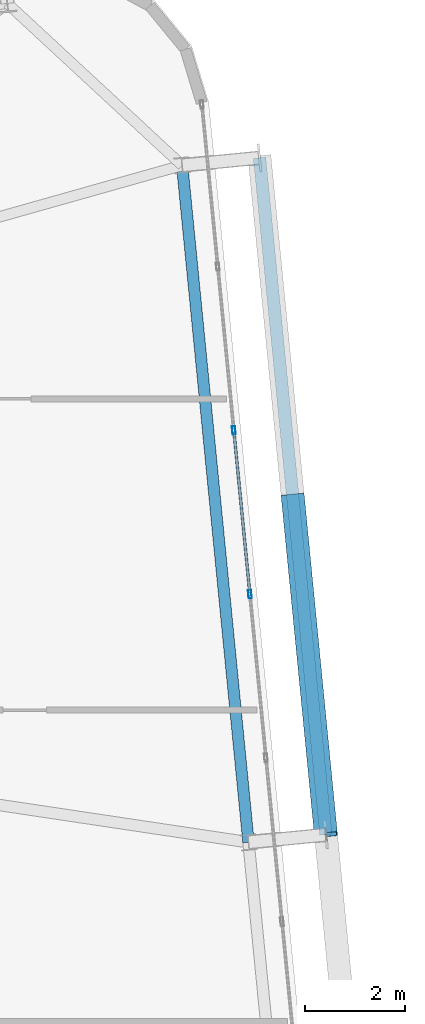
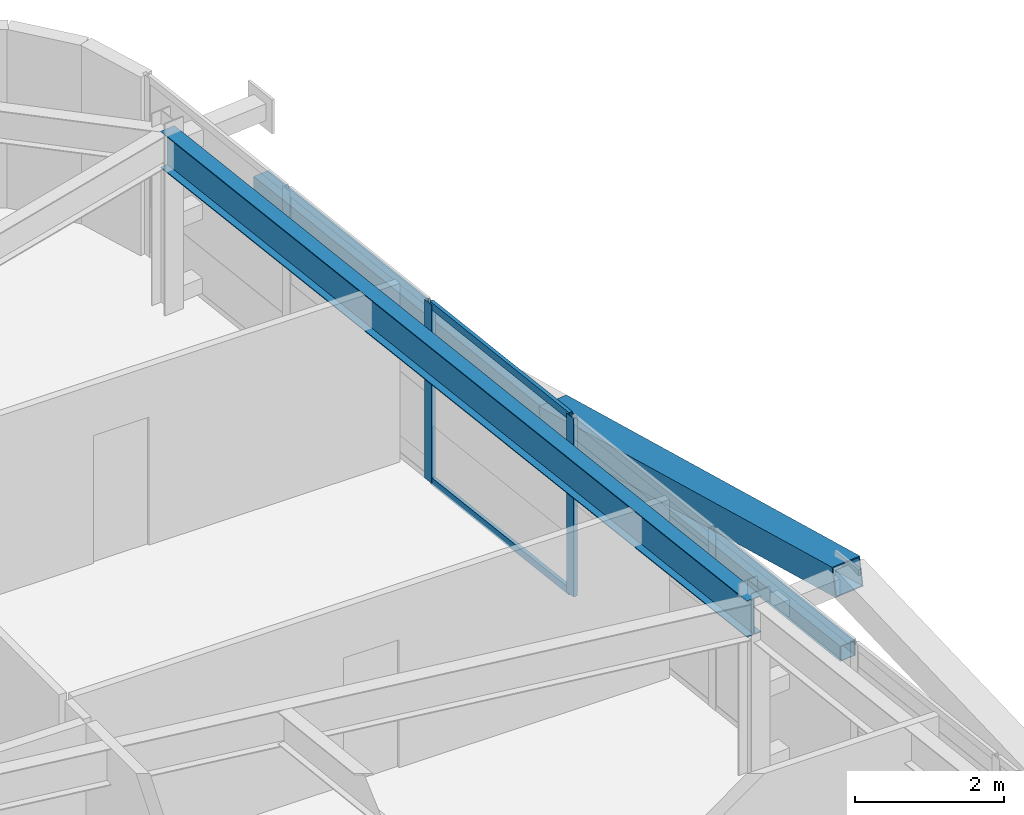
# One storey, part 26 of 52: 6 members, 1 beam, 1 element without a shape of its own.
"""IFC4 building model written with IfcOpenShell, lengths in metres."""

import ifcopenshell
import ifcopenshell.guid

model = None  # the IFC model being written
_history = None  # IfcOwnerHistory: only IFC2X3 demands one
_inside = {}  # id of a spatial element -> (the spatial element, [elements in it])
_under = {}  # id of a project, library or spatial element -> (it, [spatial elements below it])
_declared = {}  # id of a project -> (the project, [libraries it declares])
_typed = {}  # id of a type object -> (the type object, [elements of that type])
_made_of = {}  # id of a material, layer set ... -> (it, [elements and type objects made of it])


def new_model(schema):
    """Start an empty IFC model of exactly this schema.

    Asked for "IFC4X3", IfcOpenShell would pick the latest addendum, in which some entities
    have other attributes; the version numbers below select the first issue.
    IFC2X3 requires an IfcOwnerHistory on every rooted entity: one is made here for all.
    """
    global model, _history
    if schema == "IFC4X3":
        model = ifcopenshell.file(schema_version=(4, 3, 0, 0))
    else:
        model = ifcopenshell.file(schema=schema)
    _inside.clear()
    _under.clear()
    _declared.clear()
    _typed.clear()
    _made_of.clear()
    _history = None
    if model.schema == "IFC2X3":
        org = make("IfcOrganization", Name="unknown")
        user = make(
            "IfcPersonAndOrganization",
            ThePerson=make("IfcPerson", FamilyName="unknown"),
            TheOrganization=org,
        )
        app = make(
            "IfcApplication",
            ApplicationDeveloper=org,
            Version="unknown",
            ApplicationFullName="unknown",
            ApplicationIdentifier="unknown",
        )
        _history = make(
            "IfcOwnerHistory",
            OwningUser=user,
            OwningApplication=app,
            ChangeAction="ADDED",
            CreationDate=0,
        )
    return model


def make(cls, **values):
    """One entity of the class cls with the attributes given. An attribute that is None is left unset."""
    return model.create_entity(
        cls, **{name: value for name, value in values.items() if value is not None}
    )


def rooted(cls, **values):
    """An entity with a GlobalId (a new one), such as an element, a storey or a relation."""
    return make(cls, GlobalId=ifcopenshell.guid.new(), OwnerHistory=_history, **values)


def si_unit(unit_type, name, prefix=None):
    """IfcSIUnit, for example si_unit("LENGTHUNIT", "METRE", prefix="MILLI")."""
    return make("IfcSIUnit", UnitType=unit_type, Prefix=prefix, Name=name)


def assignment(units):
    """IfcUnitAssignment: the units of a project."""
    return None if units is None else make("IfcUnitAssignment", Units=units)


def point(xyz):
    """IfcCartesianPoint."""
    return None if xyz is None else make("IfcCartesianPoint", Coordinates=xyz)


def direction(xyz):
    """IfcDirection."""
    return None if xyz is None else make("IfcDirection", DirectionRatios=xyz)


def frame(location, z_axis=None, x_axis=None):
    """IfcAxis2Placement3D, a coordinate frame: its origin and axes. An axis left out is left unset."""
    return make(
        "IfcAxis2Placement3D",
        Location=point(location),
        Axis=direction(z_axis),
        RefDirection=direction(x_axis),
    )


def frame_2d(location, x_axis=None):
    """IfcAxis2Placement2D, a coordinate frame in the plane: its origin and x axis."""
    return make(
        "IfcAxis2Placement2D", Location=point(location), RefDirection=direction(x_axis)
    )


def origin():
    """The frame at (0, 0, 0) with its axes left unset."""
    return frame((0.0, 0.0, 0.0))


def origin_2d():
    """The frame at (0, 0) in the plane with its x axis left unset."""
    return frame_2d((0.0, 0.0))


def place(relative_to, where):
    """IfcLocalPlacement: puts the frame where relative to a parent placement (None: the world)."""
    return make(
        "IfcLocalPlacement", PlacementRelTo=relative_to, RelativePlacement=where
    )


def context(
    kind, dimensions, precision=None, world=None, true_north=None, identifier=None
):
    """IfcGeometricRepresentationContext, for example the 3D "Model" context."""
    return make(
        "IfcGeometricRepresentationContext",
        ContextIdentifier=identifier,
        ContextType=kind,
        CoordinateSpaceDimension=dimensions,
        Precision=precision,
        WorldCoordinateSystem=world,
        TrueNorth=true_north,
    )


def subcontext(parent, identifier, kind, view, scale=None):
    """IfcGeometricRepresentationSubContext, for example "Body" below "Model"."""
    return make(
        "IfcGeometricRepresentationSubContext",
        ContextIdentifier=identifier,
        ContextType=kind,
        ParentContext=parent,
        TargetScale=scale,
        TargetView=view,
    )


def project(units=None, contexts=None):
    """IfcProject with its units and contexts."""
    return rooted(
        "IfcProject",
        Name="project",
        RepresentationContexts=contexts,
        UnitsInContext=assignment(units),
    )


def spatial(cls, under=None, at=None, **own):
    """A site, building, storey or space (cls), placed at a placement, below another one or the project."""
    s = rooted(cls, ObjectPlacement=at, **own)
    if under is not None:
        _under.setdefault(under.id(), (under, []))[1].append(s)
    return s


def profile(cls, at=None, kind="AREA", **sizes):
    """A parametric profile (cls). Its sizes go by their IFC names, for example OverallWidth=200.0."""
    return make(cls, ProfileType=kind, Position=at, **sizes)


def hollow_rectangle(**sizes):
    """IfcRectangleHollowProfileDef."""
    return profile("IfcRectangleHollowProfileDef", **sizes)


def i_section(**sizes):
    """IfcIShapeProfileDef."""
    return profile("IfcIShapeProfileDef", **sizes)


def extrude(swept, where, along, depth):
    """IfcExtrudedAreaSolid: the profile swept, set in the frame where, extruded along a direction by depth."""
    return make(
        "IfcExtrudedAreaSolid",
        SweptArea=swept,
        Position=where,
        ExtrudedDirection=direction(along),
        Depth=depth,
    )


def shape(context_of_items, identifier, shape_type, items):
    """IfcShapeRepresentation: the items that make up one representation, for example the "Body"."""
    return make(
        "IfcShapeRepresentation",
        ContextOfItems=context_of_items,
        RepresentationIdentifier=identifier,
        RepresentationType=shape_type,
        Items=items,
    )


def source(mapping_origin, context_of_items, identifier, shape_type, items):
    """IfcRepresentationMap: a shape defined once, which mapped items show again and again."""
    return make(
        "IfcRepresentationMap",
        MappingOrigin=mapping_origin,
        MappedRepresentation=shape(context_of_items, identifier, shape_type, items),
    )


def transform(
    local_origin,
    x_axis=None,
    y_axis=None,
    z_axis=None,
    scale=None,
    scale2=None,
    scale3=None,
    uniform=True,
):
    """IfcCartesianTransformationOperator3D, or its non-uniform kind. x_axis, y_axis, z_axis: its Axis1, 2, 3."""
    if uniform:
        return make(
            "IfcCartesianTransformationOperator3D",
            Axis1=direction(x_axis),
            Axis2=direction(y_axis),
            LocalOrigin=point(local_origin),
            Scale=scale,
            Axis3=direction(z_axis),
        )
    return make(
        "IfcCartesianTransformationOperator3DnonUniform",
        Axis1=direction(x_axis),
        Axis2=direction(y_axis),
        LocalOrigin=point(local_origin),
        Scale=scale,
        Axis3=direction(z_axis),
        Scale2=scale2,
        Scale3=scale3,
    )


def mapped(mapping_source, mapping_target):
    """IfcMappedItem: shows the shape of a source again, moved by a transform."""
    return make(
        "IfcMappedItem", MappingSource=mapping_source, MappingTarget=mapping_target
    )


def material(Name=None, Category=None):
    """IfcMaterial."""
    return make("IfcMaterial", Name=Name, Category=Category)


def layer(
    of_material, thickness, ventilated=None, Name=None, Category=None, Priority=None
):
    """IfcMaterialLayer: one layer of a wall or slab, of a material (None: an air gap)."""
    return make(
        "IfcMaterialLayer",
        Material=of_material,
        LayerThickness=thickness,
        IsVentilated=ventilated,
        Name=Name,
        Category=Category,
        Priority=Priority,
    )


def layer_set(layers, Name=None):
    """IfcMaterialLayerSet."""
    return make("IfcMaterialLayerSet", MaterialLayers=layers, LayerSetName=Name)


def material_profile(
    of_material, cross_section, Name=None, Category=None, Priority=None
):
    """IfcMaterialProfile: a cross section and its material."""
    return make(
        "IfcMaterialProfile",
        Name=Name,
        Material=of_material,
        Profile=cross_section,
        Priority=Priority,
        Category=Category,
    )


def profile_set(profiles, Name=None, composite=None):
    """IfcMaterialProfileSet."""
    return make(
        "IfcMaterialProfileSet",
        Name=Name,
        MaterialProfiles=profiles,
        CompositeProfile=composite,
    )


def made_of(thing, what):
    """Note that an element or type object is made of a material, layer set ...; save() writes the relation."""
    if what is not None:
        _made_of.setdefault(what.id(), (what, []))[1].append(thing)
    return thing


def type_object(cls, material=None, **own):
    """A type object (cls), such as IfcWallType, which elements share."""
    return made_of(rooted(cls, **own), material)


def element(
    cls,
    number,
    at=None,
    inside=None,
    cuts=None,
    type_object=None,
    material=None,
    context=None,
    identifier="Body",
    shape_type=None,
    held_by="IfcProductDefinitionShape",
    body=None,
    shapes=None,
    **own,
):
    """One element of the class cls, such as IfcWall. Its Tag is "e" and its number.

    at: its placement. inside: the storey or other place that contains it. cuts: it is an
    opening in that element (IfcRelVoidsElement). A single representation is given by context,
    identifier, shape_type and body (its items); several are given by shapes. held_by: the class
    of the entity that holds the representations. save() writes the other relations.
    """
    e = rooted(cls, Tag="e%d" % number, ObjectPlacement=at, **own)
    if body is not None:
        shapes = [shape(context, identifier, shape_type, body)]
    if shapes is not None:
        e.Representation = make(held_by, Representations=shapes)
    if inside is not None:
        _inside.setdefault(inside.id(), (inside, []))[1].append(e)
    if cuts is not None:
        rooted(
            "IfcRelVoidsElement", RelatingBuildingElement=cuts, RelatedOpeningElement=e
        )
    if type_object is not None:
        _typed.setdefault(type_object.id(), (type_object, []))[1].append(e)
    return made_of(e, material)


def aggregate(whole, parts):
    """IfcRelAggregates: a whole, such as a stair, and the parts it consists of."""
    return rooted("IfcRelAggregates", RelatingObject=whole, RelatedObjects=parts)


def save(model, path):
    """Write the relations noted so far, then the file.

    IfcRelAggregates (storeys below a building ...), IfcRelContainedInSpatialStructure (elements
    in a storey), IfcRelDefinesByType, IfcRelAssociatesMaterial and IfcRelDeclares: one each for
    every whole, place, type object, material and project.
    """
    for whole, parts in _under.values():
        aggregate(whole, parts)
    for where, things in _inside.values():
        rooted(
            "IfcRelContainedInSpatialStructure",
            RelatedElements=things,
            RelatingStructure=where,
        )
    for kind, things in _typed.values():
        rooted("IfcRelDefinesByType", RelatedObjects=things, RelatingType=kind)
    for what, things in _made_of.values():
        rooted("IfcRelAssociatesMaterial", RelatedObjects=things, RelatingMaterial=what)
    for by, libraries in _declared.values():
        rooted("IfcRelDeclares", RelatingContext=by, RelatedDefinitions=libraries)
    model.write(path)


model = new_model("IFC4")

# Units and contexts
model_context = context("Model", 3, precision=1e-05, world=origin(), true_north=direction((0.0, 1.0)))
body_context = subcontext(model_context, "Body", "Model", "MODEL_VIEW")
ifc_project = project(units=[si_unit("LENGTHUNIT", "METRE"), si_unit("AREAUNIT", "SQUARE_METRE"), si_unit("VOLUMEUNIT", "CUBIC_METRE"), si_unit("PLANEANGLEUNIT", "RADIAN"), si_unit("MASSUNIT", "GRAM", prefix="KILO")], contexts=[model_context])

# Site, building, storey
site_placement = place(None, origin())
site = spatial("IfcSite", under=ifc_project, at=site_placement, CompositionType="ELEMENT")
building_placement = place(site_placement, origin())
building = spatial("IfcBuilding", under=site, at=building_placement, Name="Taldren Reach Tower", CompositionType="ELEMENT")
storey_placement = place(building_placement, frame((0.0, 0.0, 74.550048828125)))
storey = spatial("IfcBuildingStorey", under=building, at=storey_placement, Name="L22", CompositionType="ELEMENT", Elevation=74.550048828125)

# Beam
ifc_material_1 = material(Name="Steel Gr 350 (350PLUS)", Category="steel")
ifc_material_profile_1 = material_profile(ifc_material_1, i_section(OverallWidth=0.22802734375, OverallDepth=0.60205078125, WebThickness=0.010498046875, FlangeThickness=0.014892578125, at=origin_2d()), Name="610UB101")
ifc_profile_set_1 = profile_set([ifc_material_profile_1], Name="Steel Gr 350 (350PLUS)")
beam_type = type_object("IfcBeamType", Name="BM-UB610B", PredefinedType="BEAM", material=ifc_profile_set_1)
shared_shape_1 = source(origin(), body_context, "Body", "SweptSolid", [
    extrude(i_section(OverallWidth=0.22802734375, OverallDepth=0.60205078125, WebThickness=0.010498046875, FlangeThickness=0.014892578125, at=origin_2d()), origin(), (0.0, 0.0, 1.0), 13.550048828125),
])
beam_placement = place(storey_placement, frame((64.569580078125, 21.968994140625, 2.62890625), z_axis=(-0.097584021339, 0.995227290009, 0.0), x_axis=(-0.995227290009, -0.097584021339, 0.0)))
element("IfcBeam", 1, at=beam_placement, inside=storey, type_object=beam_type, Name="Perimeter gable girder B2 E2-E3 L22", PredefinedType="BEAM", context=body_context, shape_type="MappedRepresentation", body=[
    mapped(shared_shape_1, transform((0.0, 0.0, 0.0), scale=1.0)),
])

# Members
ifc_material_2 = material(Name="Steel Gr 450 (C450L0)", Category="steel")
ifc_material_profile_2 = material_profile(ifc_material_2, hollow_rectangle(XDim=0.4599609375, YDim=0.4599609375, WallThickness=0.01611328125, at=origin_2d()), Name="460x460x16.0SHS")
ifc_profile_set_2 = profile_set([ifc_material_profile_2], Name="Steel Gr 450 (C450L0)")
member_type_1 = type_object("IfcMemberType", Name="MB-EXO457", PredefinedType="BRACE", material=ifc_profile_set_2)
shared_shape_2 = source(origin(), body_context, "Body", "SweptSolid", [
    extrude(hollow_rectangle(XDim=0.4599609375, YDim=0.4599609375, WallThickness=0.01611328125, at=origin_2d()), origin(), (0.0, 0.0, 1.0), 6.883056640625),
])
member_1_placement = place(storey_placement, frame((65.450927734375, 28.86279296875, 1.43505859375), z_axis=(0.096052059581, -0.979603316657, 0.176497432967), x_axis=(0.995227290009, 0.097584021339, 0.0)))
element("IfcMember", 2, at=member_1_placement, inside=storey, type_object=member_type_1, Name="Exoskeleton Diagrid Brace B2-E2 L22", PredefinedType="BRACE", context=body_context, shape_type="MappedRepresentation", body=[
    mapped(shared_shape_2, transform((0.0, 0.0, 0.0), scale=1.0)),
])
ifc_material_3 = material(Name="Steel Gr 350 (C350L0)", Category="steel")
ifc_material_profile_3 = material_profile(ifc_material_3, hollow_rectangle(XDim=0.25, YDim=0.25, WallThickness=0.010009765625, at=origin_2d()), Name="250x250x10.0SHS")
ifc_profile_set_3 = profile_set([ifc_material_profile_3], Name="Steel Gr 350 (C350L0)")
member_type_2 = type_object("IfcMemberType", Name="MB-POST250", PredefinedType="POST", material=ifc_profile_set_3)
shared_shape_3 = source(origin(), body_context, "Body", "SweptSolid", [
    extrude(hollow_rectangle(XDim=0.25, YDim=0.25, WallThickness=0.010009765625, at=origin_2d()), origin(), (0.0, 0.0, 1.0), 13.550048828125),
])
member_2_placement = place(storey_placement, frame((66.112060546875, 22.1201171875, 1.43505859375), z_axis=(-0.097584021339, 0.995227290009, 0.0), x_axis=(-0.995227290009, -0.097584021339, 0.0)))
element("IfcMember", 3, at=member_2_placement, inside=storey, type_object=member_type_2, Name="Exoskeleton mid-height ring chord B2-E2 L22", PredefinedType="POST", context=body_context, shape_type="MappedRepresentation", body=[
    mapped(shared_shape_3, transform((0.0, 0.0, 0.0), scale=1.0)),
])

# Curtain wall, members
ifc_material_4 = material(Name="Aluminium and Low-E Glass Unitised System", Category="aluminium")
ifc_layer = layer(ifc_material_4, 0.159912109375)
ifc_layer_set = layer_set([ifc_layer], Name="Aluminium and Low-E Glass Unitised System")
curtain_wall_type = type_object("IfcCurtainWallType", Name="CW-SYS-3", PredefinedType="NOTDEFINED", material=ifc_layer_set)
curtain_wall_placement = place(storey_placement, origin())
curtain_wall = element("IfcCurtainWall", 4, at=curtain_wall_placement, inside=storey, type_object=curtain_wall_type, Name="Unitised curtain wall CW-L22-E", PredefinedType="NOTDEFINED")
ifc_material_5 = material(Name="Anodised Aluminium 6063-T6", Category="aluminium")
ifc_material_profile_4 = material_profile(ifc_material_5, hollow_rectangle(XDim=0.06494140625, YDim=0.1650390625, WallThickness=0.00390625, at=origin_2d()), Name="ALU-165x65x4RHS")
ifc_profile_set_4 = profile_set([ifc_material_profile_4], Name="Anodised Aluminium 6063-T6")
member_type_3 = type_object("IfcMemberType", Name="CW-MUL-165", PredefinedType="MULLION", material=ifc_profile_set_4)
shared_shape_4 = source(origin(), body_context, "Body", "SweptSolid", [
    extrude(hollow_rectangle(XDim=0.06494140625, YDim=0.1650390625, WallThickness=0.00390625, at=origin_2d()), origin(), (0.0, 0.0, 1.0), 2.929931640625),
])
member_3_placement = place(storey_placement, frame((64.59716796875, 26.911865234375, 0.0), z_axis=(0.0, 0.0, 1.0), x_axis=(-0.99522741555, -0.09758274098, 0.0)))
member_3 = element("IfcMember", 5, at=member_3_placement, type_object=member_type_3, Name="CW-3 mullion 7", PredefinedType="MULLION", context=body_context, shape_type="MappedRepresentation", body=[
    mapped(shared_shape_4, transform((0.0, 0.0, 0.0), scale=1.0)),
])
member_4_placement = place(storey_placement, frame((64.27734375, 30.174072265625, 0.0), z_axis=(0.0, 0.0, 1.0), x_axis=(-0.99522741555, -0.09758274098, 0.0)))
member_4 = element("IfcMember", 6, at=member_4_placement, type_object=member_type_3, Name="CW-3 mullion 8", PredefinedType="MULLION", context=body_context, shape_type="MappedRepresentation", body=[
    mapped(shared_shape_4, transform((0.0, 0.0, 0.0), scale=1.0)),
])
ifc_material_profile_5 = material_profile(ifc_material_5, hollow_rectangle(XDim=0.054931640625, YDim=0.1201171875, WallThickness=0.0029296875, at=origin_2d()), Name="ALU-120x55x3RHS")
ifc_profile_set_5 = profile_set([ifc_material_profile_5], Name="Anodised Aluminium 6063-T6")
member_type_4 = type_object("IfcMemberType", Name="CW-TRN-135", PredefinedType="USERDEFINED", material=ifc_profile_set_5)
shared_shape_5 = source(origin(), body_context, "Body", "SweptSolid", [
    extrude(hollow_rectangle(XDim=0.054931640625, YDim=0.1201171875, WallThickness=0.0029296875, at=origin_2d()), origin(), (0.0, 0.0, 1.0), 3.212890625),
])
member_5_placement = place(storey_placement, frame((64.593994140625, 26.944091796875, 0.02734375), z_axis=(-0.097569948235, 0.995228669805, 0.0), x_axis=(-0.995228669805, -0.097569948235, 0.0)))
member_5 = element("IfcMember", 7, at=member_5_placement, type_object=member_type_4, Name="CW-3 transom 7.1", ObjectType="TRANSOM", PredefinedType="USERDEFINED", context=body_context, shape_type="MappedRepresentation", body=[
    mapped(shared_shape_5, transform((0.0, 0.0, 0.0), scale=1.0)),
])
member_6_placement = place(storey_placement, frame((64.593994140625, 26.944091796875, 2.90234375), z_axis=(-0.097569948235, 0.995228669805, 0.0), x_axis=(-0.995228669805, -0.097569948235, 0.0)))
member_6 = element("IfcMember", 8, at=member_6_placement, type_object=member_type_4, Name="CW-3 transom 7.2", ObjectType="TRANSOM", PredefinedType="USERDEFINED", context=body_context, shape_type="MappedRepresentation", body=[
    mapped(shared_shape_5, transform((0.0, 0.0, 0.0), scale=1.0)),
])
aggregate(curtain_wall, [member_3, member_4, member_5, member_6])

save(model, "model.ifc")
